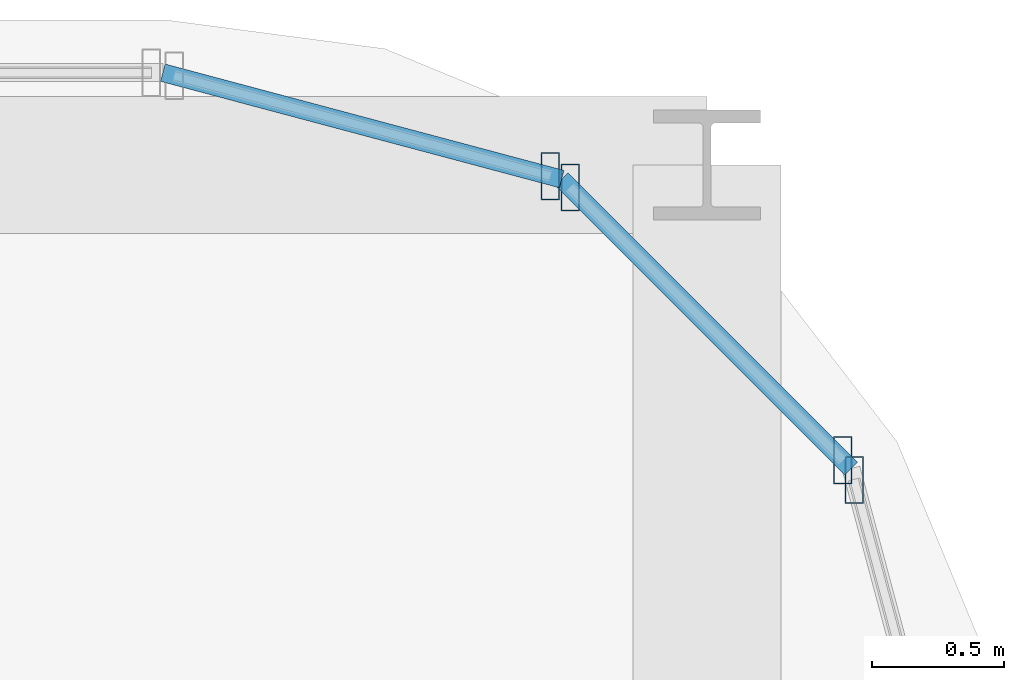
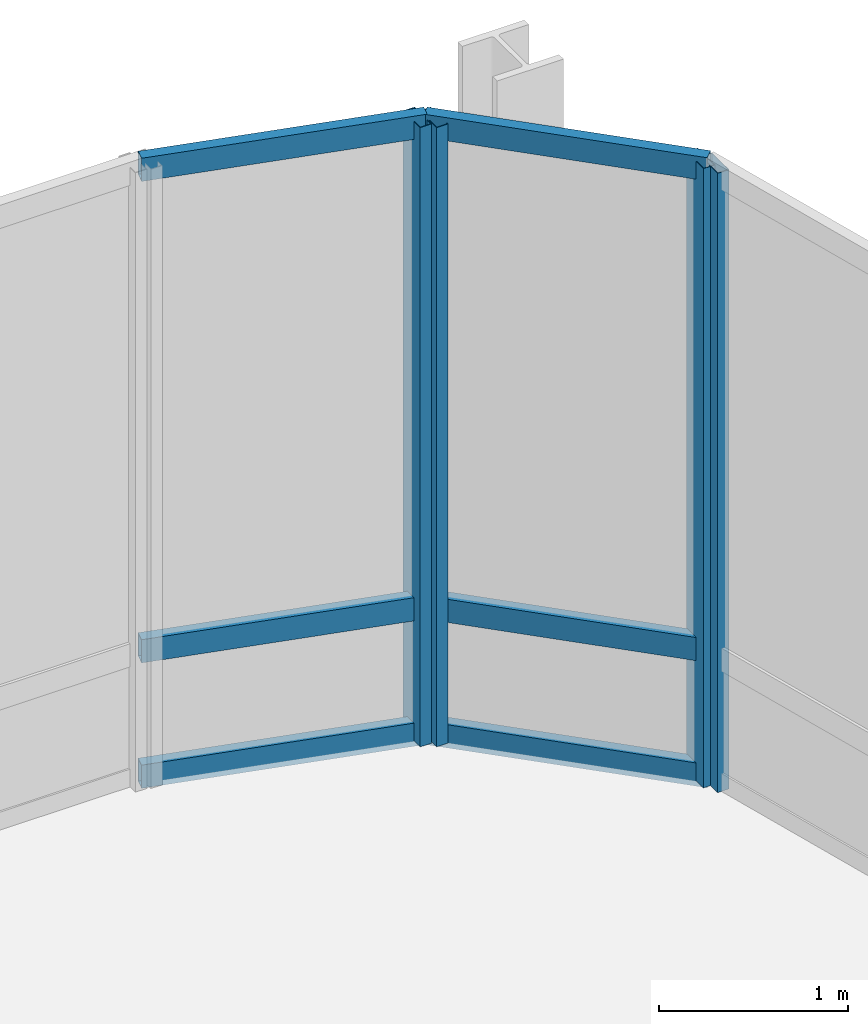
# One storey, part 31 of 41: 10 members, 3 elements without a shape of their own.
"""IFC4 building model written with IfcOpenShell, lengths in metres."""

from ifc_helpers import new_model, si_unit, direction, frame, origin, origin_2d, place, context, subcontext, project, spatial, hollow_rectangle, extrude, material, material_profile, profile_set, type_object, element, aggregate, save


model = new_model("IFC4")

# Units and contexts
model_context = context("Model", 3, precision=1e-05, world=origin(), true_north=direction((0.0, 1.0)))
body_context = subcontext(model_context, "Body", "Model", "MODEL_VIEW")
ifc_project = project(units=[si_unit("LENGTHUNIT", "METRE"), si_unit("AREAUNIT", "SQUARE_METRE"), si_unit("VOLUMEUNIT", "CUBIC_METRE"), si_unit("PLANEANGLEUNIT", "RADIAN"), si_unit("MASSUNIT", "GRAM", prefix="KILO")], contexts=[model_context])

# Site, building, storey
site_placement = place(None, origin())
site = spatial("IfcSite", under=ifc_project, at=site_placement, CompositionType="ELEMENT")
building_placement = place(site_placement, origin())
building = spatial("IfcBuilding", under=site, at=building_placement, Name="Punatoya Terracotta Tower", CompositionType="ELEMENT")
storey_placement = place(building_placement, frame((0.0, 0.0, 288.0)))
storey = spatial("IfcBuildingStorey", under=building, at=storey_placement, Name="L68", CompositionType="ELEMENT", Elevation=288.0)

# Curtain wall, member
ifc_material_1 = material(Name="Aluminium 6063-T6 + Double Low-E Glass", Category="aluminium")
curtain_wall_type = type_object("IfcCurtainWallType", Name="CW-M3", PredefinedType="NOTDEFINED", material=ifc_material_1)
curtain_wall_1_placement = place(storey_placement, origin())
curtain_wall_1 = element("IfcCurtainWall", 1, at=curtain_wall_1_placement, inside=storey, type_object=curtain_wall_type, Name="L68 Curtain Wall CW-L68-CRN06", PredefinedType="NOTDEFINED")
ifc_material_2 = material(Name="Aluminium 6063-T6", Category="aluminium")
ifc_material_profile_1 = material_profile(ifc_material_2, hollow_rectangle(XDim=0.070068359375, YDim=0.179931640625, WallThickness=0.00390625, at=origin_2d()))
ifc_profile_set_1 = profile_set([ifc_material_profile_1], Name="Aluminium 6063-T6")
member_type_1 = type_object("IfcMemberType", Name="CW-MUL-M3", PredefinedType="MULLION", material=ifc_profile_set_1)
member_1_placement = place(storey_placement, frame((19.658203125, 21.70556640625, 0.0), z_axis=(0.0, 0.0, 1.0), x_axis=(1.0, 0.0, 0.0)))
member_1 = element("IfcMember", 2, at=member_1_placement, type_object=member_type_1, Name="CW-L68-CRN06 Mullion 01", PredefinedType="MULLION", context=body_context, shape_type="SweptSolid", body=[
    extrude(hollow_rectangle(XDim=0.070068359375, YDim=0.179931640625, WallThickness=0.00390625, at=origin_2d()), origin(), (0.0, 0.0, 1.0), 4.0),
])
aggregate(curtain_wall_1, [member_1])

# Curtain wall, members
curtain_wall_2_placement = place(storey_placement, origin())
curtain_wall_2 = element("IfcCurtainWall", 3, at=curtain_wall_2_placement, inside=storey, type_object=curtain_wall_type, Name="L68 Curtain Wall CW-L68-CRN07", PredefinedType="NOTDEFINED")
member_2_placement = place(storey_placement, frame((19.61474609375, 21.781005859375, 0.0), z_axis=(0.0, 0.0, 1.0), x_axis=(1.0, 0.0, 0.0)))
member_2 = element("IfcMember", 4, at=member_2_placement, type_object=member_type_1, Name="CW-L68-CRN07 Mullion 00", PredefinedType="MULLION", context=body_context, shape_type="SweptSolid", body=[
    extrude(hollow_rectangle(XDim=0.070068359375, YDim=0.179931640625, WallThickness=0.00390625, at=origin_2d()), origin(), (0.0, 0.0, 1.0), 4.0),
])
member_3_placement = place(storey_placement, frame((18.580810546875, 22.814697265625, 0.0), z_axis=(0.0, 0.0, 1.0), x_axis=(1.0, 0.0, 0.0)))
member_3 = element("IfcMember", 5, at=member_3_placement, type_object=member_type_1, Name="CW-L68-CRN07 Mullion 01", PredefinedType="MULLION", context=body_context, shape_type="SweptSolid", body=[
    extrude(hollow_rectangle(XDim=0.070068359375, YDim=0.179931640625, WallThickness=0.00390625, at=origin_2d()), origin(), (0.0, 0.0, 1.0), 4.0),
])

# Curtain wall, member
curtain_wall_3_placement = place(storey_placement, origin())
curtain_wall_3 = element("IfcCurtainWall", 6, at=curtain_wall_3_placement, inside=storey, type_object=curtain_wall_type, Name="L68 Curtain Wall CW-L68-CRN08", PredefinedType="NOTDEFINED")
member_4_placement = place(storey_placement, frame((18.505615234375, 22.858154296875, 0.0), z_axis=(0.0, 0.0, 1.0), x_axis=(1.0, 0.0, 0.0)))
member_4 = element("IfcMember", 7, at=member_4_placement, type_object=member_type_1, Name="CW-L68-CRN08 Mullion 00", PredefinedType="MULLION", context=body_context, shape_type="SweptSolid", body=[
    extrude(hollow_rectangle(XDim=0.070068359375, YDim=0.179931640625, WallThickness=0.00390625, at=origin_2d()), origin(), (0.0, 0.0, 1.0), 4.0),
])

# Member
ifc_material_profile_2 = material_profile(ifc_material_2, hollow_rectangle(XDim=0.068115234375, YDim=0.14990234375, WallThickness=0.00390625, at=origin_2d()))
ifc_profile_set_2 = profile_set([ifc_material_profile_2], Name="Aluminium 6063-T6")
member_type_2 = type_object("IfcMemberType", Name="CW-TRN-TYP", PredefinedType="USERDEFINED", material=ifc_profile_set_2)
member_5_placement = place(storey_placement, frame((19.646484375, 21.7490234375, 0.0400390625), z_axis=(-0.707028130747, 0.707185422879, 0.0), x_axis=(-0.707185422879, -0.707028130747, 0.0)))
member_5 = element("IfcMember", 8, at=member_5_placement, type_object=member_type_2, Name="CW-L68-CRN07 Transom 1", ObjectType="TRANSOM", PredefinedType="USERDEFINED", context=body_context, shape_type="SweptSolid", body=[
    extrude(hollow_rectangle(XDim=0.068115234375, YDim=0.14990234375, WallThickness=0.00390625, at=origin_2d()), origin(), (0.0, 0.0, 1.0), 1.55224609375),
])

member_6_placement = place(storey_placement, frame((19.646484375, 21.7490234375, 0.85009765625), z_axis=(-0.707028130747, 0.707185422879, 0.0), x_axis=(-0.707185422879, -0.707028130747, 0.0)))
member_6 = element("IfcMember", 9, at=member_6_placement, type_object=member_type_2, Name="CW-L68-CRN07 Transom 2", ObjectType="TRANSOM", PredefinedType="USERDEFINED", context=body_context, shape_type="SweptSolid", body=[
    extrude(hollow_rectangle(XDim=0.068115234375, YDim=0.14990234375, WallThickness=0.00390625, at=origin_2d()), origin(), (0.0, 0.0, 1.0), 1.55224609375),
])

member_7_placement = place(storey_placement, frame((19.646484375, 21.7490234375, 3.9599609375), z_axis=(-0.707028130747, 0.707185422879, 0.0), x_axis=(-0.707185422879, -0.707028130747, 0.0)))
member_7 = element("IfcMember", 10, at=member_7_placement, type_object=member_type_2, Name="CW-L68-CRN07 Transom 3", ObjectType="TRANSOM", PredefinedType="USERDEFINED", context=body_context, shape_type="SweptSolid", body=[
    extrude(hollow_rectangle(XDim=0.068115234375, YDim=0.14990234375, WallThickness=0.00390625, at=origin_2d()), origin(), (0.0, 0.0, 1.0), 1.55224609375),
])

aggregate(curtain_wall_2, [member_2, member_3, member_5, member_6, member_7])

member_8_placement = place(storey_placement, frame((18.549072265625, 22.8466796875, 0.0400390625), z_axis=(-0.966224582397, 0.257701486942, 0.0), x_axis=(-0.257701486942, -0.966224582397, 0.0)))
member_8 = element("IfcMember", 11, at=member_8_placement, type_object=member_type_2, Name="CW-L68-CRN08 Transom 1", ObjectType="TRANSOM", PredefinedType="USERDEFINED", context=body_context, shape_type="SweptSolid", body=[
    extrude(hollow_rectangle(XDim=0.068115234375, YDim=0.14990234375, WallThickness=0.00390625, at=origin_2d()), origin(), (0.0, 0.0, 1.0), 1.565185546875),
])

member_9_placement = place(storey_placement, frame((18.549072265625, 22.8466796875, 0.85009765625), z_axis=(-0.966224582397, 0.257701486942, 0.0), x_axis=(-0.257701486942, -0.966224582397, 0.0)))
member_9 = element("IfcMember", 12, at=member_9_placement, type_object=member_type_2, Name="CW-L68-CRN08 Transom 2", ObjectType="TRANSOM", PredefinedType="USERDEFINED", context=body_context, shape_type="SweptSolid", body=[
    extrude(hollow_rectangle(XDim=0.068115234375, YDim=0.14990234375, WallThickness=0.00390625, at=origin_2d()), origin(), (0.0, 0.0, 1.0), 1.565185546875),
])

member_10_placement = place(storey_placement, frame((18.549072265625, 22.8466796875, 3.9599609375), z_axis=(-0.966224582397, 0.257701486942, 0.0), x_axis=(-0.257701486942, -0.966224582397, 0.0)))
member_10 = element("IfcMember", 13, at=member_10_placement, type_object=member_type_2, Name="CW-L68-CRN08 Transom 3", ObjectType="TRANSOM", PredefinedType="USERDEFINED", context=body_context, shape_type="SweptSolid", body=[
    extrude(hollow_rectangle(XDim=0.068115234375, YDim=0.14990234375, WallThickness=0.00390625, at=origin_2d()), origin(), (0.0, 0.0, 1.0), 1.565185546875),
])

aggregate(curtain_wall_3, [member_4, member_8, member_9, member_10])

save(model, "model.ifc")
